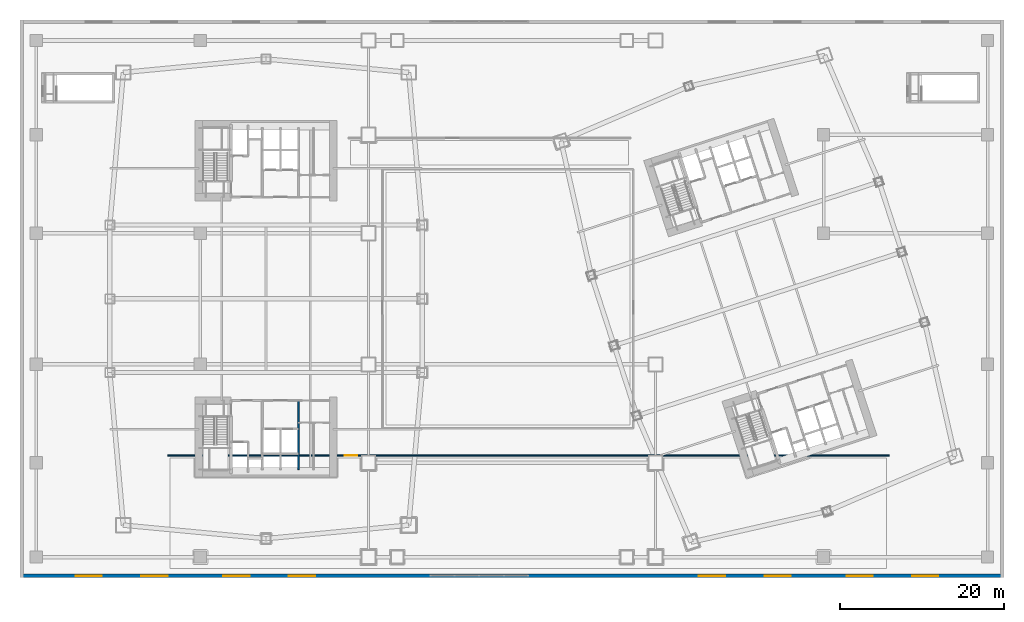
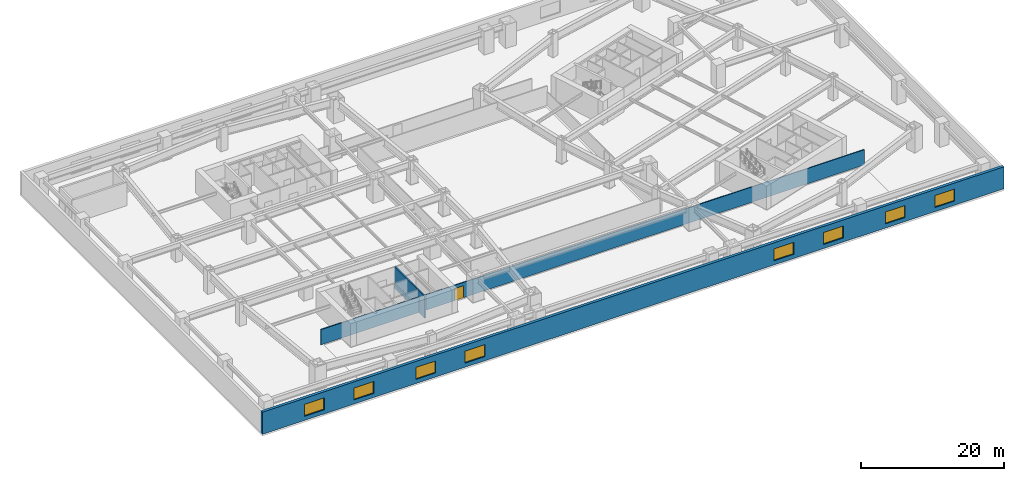
# One storey, part 14 of 25: 8 windows, 3 walls, 1 door, 9 openings.
"""IFC4 building model written with IfcOpenShell, lengths in metres."""

from ifc_helpers import new_model, si_unit, direction, frame, frame_2d, origin, place, context, subcontext, project, spatial, rectangle, extrude, material, layer, layer_set, type_object, element, fill, save


model = new_model("IFC4")

# Units and contexts
model_context = context("Model", 3, precision=1e-05, world=origin(), true_north=direction((0.0, 1.0)))
body_context = subcontext(model_context, "Body", "Model", "MODEL_VIEW")
ifc_project = project(units=[si_unit("LENGTHUNIT", "METRE"), si_unit("AREAUNIT", "SQUARE_METRE"), si_unit("VOLUMEUNIT", "CUBIC_METRE"), si_unit("PLANEANGLEUNIT", "RADIAN"), si_unit("MASSUNIT", "GRAM", prefix="KILO")], contexts=[model_context])

# Site, building, storey
site_placement = place(None, origin())
site = spatial("IfcSite", under=ifc_project, at=site_placement, CompositionType="ELEMENT")
building_placement = place(site_placement, origin())
building = spatial("IfcBuilding", under=site, at=building_placement, Name="Qiaolan Cultural Towers", CompositionType="ELEMENT")
storey_placement = place(building_placement, frame((0.0, 0.0, 22.0)))
storey = spatial("IfcBuildingStorey", under=building, at=storey_placement, Name="L04", CompositionType="ELEMENT", Elevation=22.0)

# Wall, openings, windows
ifc_material_1 = material(Name="Precast Concrete C50 Bush-Hammered Granite Pier", Category="masonry")
ifc_layer_1 = layer(ifc_material_1, 0.449951171875)
ifc_layer_set_1 = layer_set([ifc_layer_1], Name="Precast Concrete C50 Bush-Hammered Granite Pier")
wall_type_1 = type_object("IfcWallType", Name="WL-EXT-POD-450", PredefinedType="SOLIDWALL", material=ifc_layer_set_1)
wall_1_placement = place(storey_placement, frame((120.0, 0.22509765625, 0.0), z_axis=(0.0, 0.0, 1.0), x_axis=(-1.0, 0.0, 0.0)))
wall_1 = element("IfcWall", 1, at=wall_1_placement, inside=storey, type_object=wall_type_1, Name="L04 Podium Precast Facade Wall SOUTH", PredefinedType="SOLIDWALL", context=body_context, shape_type="SweptSolid", body=[
    extrude(rectangle(XDim=120.0, YDim=0.449951171875, at=frame_2d((60.0, 0.0))), origin(), (0.0, 0.0, 1.0), 3.780029296875),
])
opening_1_placement = place(wall_1_placement, frame((8.0, 0.0, 0.699951171875)))
opening_1 = element("IfcOpeningElement", 2, at=opening_1_placement, cuts=wall_1, Name="Opening W-04", PredefinedType="OPENING", context=body_context, shape_type="SweptSolid", body=[
    extrude(rectangle(XDim=3.199951171875, YDim=2.050048828125, at=frame_2d((1.60009765625, 1.02490234375))), frame((0.0, 0.23486328125, 0.0), z_axis=(0.0, -1.0, 0.0), x_axis=(1.0, 0.0, 0.0)), (0.0, 0.0, 1.0), 0.469970703125),
])
opening_2_placement = place(wall_1_placement, frame((16.0, 0.0, 0.699951171875)))
opening_2 = element("IfcOpeningElement", 3, at=opening_2_placement, cuts=wall_1, Name="Opening W-04", PredefinedType="OPENING", context=body_context, shape_type="SweptSolid", body=[
    extrude(rectangle(XDim=3.199951171875, YDim=2.050048828125, at=frame_2d((1.60009765625, 1.02490234375))), frame((0.0, 0.23486328125, 0.0), z_axis=(0.0, -1.0, 0.0), x_axis=(1.0, 0.0, 0.0)), (0.0, 0.0, 1.0), 0.469970703125),
])
opening_3_placement = place(wall_1_placement, frame((26.0, 0.0, 0.699951171875)))
opening_3 = element("IfcOpeningElement", 4, at=opening_3_placement, cuts=wall_1, Name="Opening W-04", PredefinedType="OPENING", context=body_context, shape_type="SweptSolid", body=[
    extrude(rectangle(XDim=3.199951171875, YDim=2.050048828125, at=frame_2d((1.60009765625, 1.02490234375))), frame((0.0, 0.23486328125, 0.0), z_axis=(0.0, -1.0, 0.0), x_axis=(1.0, 0.0, 0.0)), (0.0, 0.0, 1.0), 0.469970703125),
])
opening_4_placement = place(wall_1_placement, frame((34.0, 0.0, 0.699951171875)))
opening_4 = element("IfcOpeningElement", 5, at=opening_4_placement, cuts=wall_1, Name="Opening W-04", PredefinedType="OPENING", context=body_context, shape_type="SweptSolid", body=[
    extrude(rectangle(XDim=3.199951171875, YDim=2.050048828125, at=frame_2d((1.60009765625, 1.02490234375))), frame((0.0, 0.23486328125, 0.0), z_axis=(0.0, -1.0, 0.0), x_axis=(1.0, 0.0, 0.0)), (0.0, 0.0, 1.0), 0.469970703125),
])
opening_5_placement = place(wall_1_placement, frame((84.0, 0.0, 0.699951171875)))
opening_5 = element("IfcOpeningElement", 6, at=opening_5_placement, cuts=wall_1, Name="Opening W-04", PredefinedType="OPENING", context=body_context, shape_type="SweptSolid", body=[
    extrude(rectangle(XDim=3.199951171875, YDim=2.050048828125, at=frame_2d((1.60009765625, 1.02490234375))), frame((0.0, 0.23486328125, 0.0), z_axis=(0.0, -1.0, 0.0), x_axis=(1.0, 0.0, 0.0)), (0.0, 0.0, 1.0), 0.469970703125),
])
opening_6_placement = place(wall_1_placement, frame((92.0, 0.0, 0.699951171875)))
opening_6 = element("IfcOpeningElement", 7, at=opening_6_placement, cuts=wall_1, Name="Opening W-04", PredefinedType="OPENING", context=body_context, shape_type="SweptSolid", body=[
    extrude(rectangle(XDim=3.199951171875, YDim=2.050048828125, at=frame_2d((1.60009765625, 1.02490234375))), frame((0.0, 0.23486328125, 0.0), z_axis=(0.0, -1.0, 0.0), x_axis=(1.0, 0.0, 0.0)), (0.0, 0.0, 1.0), 0.469970703125),
])
opening_7_placement = place(wall_1_placement, frame((102.0, 0.0, 0.699951171875)))
opening_7 = element("IfcOpeningElement", 8, at=opening_7_placement, cuts=wall_1, Name="Opening W-04", PredefinedType="OPENING", context=body_context, shape_type="SweptSolid", body=[
    extrude(rectangle(XDim=3.199951171875, YDim=2.050048828125, at=frame_2d((1.60009765625, 1.02490234375))), frame((0.0, 0.23486328125, 0.0), z_axis=(0.0, -1.0, 0.0), x_axis=(1.0, 0.0, 0.0)), (0.0, 0.0, 1.0), 0.469970703125),
])
opening_8_placement = place(wall_1_placement, frame((110.0, 0.0, 0.699951171875)))
opening_8 = element("IfcOpeningElement", 9, at=opening_8_placement, cuts=wall_1, Name="Opening W-04", PredefinedType="OPENING", context=body_context, shape_type="SweptSolid", body=[
    extrude(rectangle(XDim=3.199951171875, YDim=2.050048828125, at=frame_2d((1.60009765625, 1.02490234375))), frame((0.0, 0.23486328125, 0.0), z_axis=(0.0, -1.0, 0.0), x_axis=(1.0, 0.0, 0.0)), (0.0, 0.0, 1.0), 0.469970703125),
])
ifc_material_2 = material(Name="Thermally Broken Aluminium Triple Low-E Glazing", Category="aluminium")
window_type = type_object("IfcWindowType", Name="WN-POD-3200", PartitioningType="SINGLE_PANEL", PredefinedType="WINDOW", material=ifc_material_2)
window_1_placement = place(opening_1_placement, origin())
window_1 = element("IfcWindow", 10, at=window_1_placement, inside=storey, type_object=window_type, Name="L04 Podium Chicago Window SOUTH-01", OverallHeight=2.050048828125, OverallWidth=3.199951171875, PartitioningType="TRIPLE_PANEL_VERTICAL", PredefinedType="WINDOW", context=body_context, shape_type="SweptSolid", body=[
    extrude(rectangle(XDim=3.199951171875, YDim=2.050048828125, at=frame_2d((1.60009765625, 1.02490234375))), frame((0.0, 0.030029296875, 0.0), z_axis=(0.0, -1.0, 0.0), x_axis=(1.0, 0.0, 0.0)), (0.0, 0.0, 1.0), 0.06005859375),
])
fill(opening_1, window_1)
window_2_placement = place(opening_2_placement, origin())
window_2 = element("IfcWindow", 11, at=window_2_placement, inside=storey, type_object=window_type, Name="L04 Podium Chicago Window SOUTH-02", OverallHeight=2.050048828125, OverallWidth=3.199951171875, PartitioningType="TRIPLE_PANEL_VERTICAL", PredefinedType="WINDOW", context=body_context, shape_type="SweptSolid", body=[
    extrude(rectangle(XDim=3.199951171875, YDim=2.050048828125, at=frame_2d((1.60009765625, 1.02490234375))), frame((0.0, 0.030029296875, 0.0), z_axis=(0.0, -1.0, 0.0), x_axis=(1.0, 0.0, 0.0)), (0.0, 0.0, 1.0), 0.06005859375),
])
fill(opening_2, window_2)
window_3_placement = place(opening_3_placement, origin())
window_3 = element("IfcWindow", 12, at=window_3_placement, inside=storey, type_object=window_type, Name="L04 Podium Chicago Window SOUTH-03", OverallHeight=2.050048828125, OverallWidth=3.199951171875, PartitioningType="TRIPLE_PANEL_VERTICAL", PredefinedType="WINDOW", context=body_context, shape_type="SweptSolid", body=[
    extrude(rectangle(XDim=3.199951171875, YDim=2.050048828125, at=frame_2d((1.60009765625, 1.02490234375))), frame((0.0, 0.030029296875, 0.0), z_axis=(0.0, -1.0, 0.0), x_axis=(1.0, 0.0, 0.0)), (0.0, 0.0, 1.0), 0.06005859375),
])
fill(opening_3, window_3)
window_4_placement = place(opening_4_placement, origin())
window_4 = element("IfcWindow", 13, at=window_4_placement, inside=storey, type_object=window_type, Name="L04 Podium Chicago Window SOUTH-04", OverallHeight=2.050048828125, OverallWidth=3.199951171875, PartitioningType="TRIPLE_PANEL_VERTICAL", PredefinedType="WINDOW", context=body_context, shape_type="SweptSolid", body=[
    extrude(rectangle(XDim=3.199951171875, YDim=2.050048828125, at=frame_2d((1.60009765625, 1.02490234375))), frame((0.0, 0.030029296875, 0.0), z_axis=(0.0, -1.0, 0.0), x_axis=(1.0, 0.0, 0.0)), (0.0, 0.0, 1.0), 0.06005859375),
])
fill(opening_4, window_4)
window_5_placement = place(opening_5_placement, origin())
window_5 = element("IfcWindow", 14, at=window_5_placement, inside=storey, type_object=window_type, Name="L04 Podium Chicago Window SOUTH-05", OverallHeight=2.050048828125, OverallWidth=3.199951171875, PartitioningType="TRIPLE_PANEL_VERTICAL", PredefinedType="WINDOW", context=body_context, shape_type="SweptSolid", body=[
    extrude(rectangle(XDim=3.199951171875, YDim=2.050048828125, at=frame_2d((1.60009765625, 1.02490234375))), frame((0.0, 0.030029296875, 0.0), z_axis=(0.0, -1.0, 0.0), x_axis=(1.0, 0.0, 0.0)), (0.0, 0.0, 1.0), 0.06005859375),
])
fill(opening_5, window_5)
window_6_placement = place(opening_6_placement, origin())
window_6 = element("IfcWindow", 15, at=window_6_placement, inside=storey, type_object=window_type, Name="L04 Podium Chicago Window SOUTH-06", OverallHeight=2.050048828125, OverallWidth=3.199951171875, PartitioningType="TRIPLE_PANEL_VERTICAL", PredefinedType="WINDOW", context=body_context, shape_type="SweptSolid", body=[
    extrude(rectangle(XDim=3.199951171875, YDim=2.050048828125, at=frame_2d((1.60009765625, 1.02490234375))), frame((0.0, 0.030029296875, 0.0), z_axis=(0.0, -1.0, 0.0), x_axis=(1.0, 0.0, 0.0)), (0.0, 0.0, 1.0), 0.06005859375),
])
fill(opening_6, window_6)
window_7_placement = place(opening_7_placement, origin())
window_7 = element("IfcWindow", 16, at=window_7_placement, inside=storey, type_object=window_type, Name="L04 Podium Chicago Window SOUTH-07", OverallHeight=2.050048828125, OverallWidth=3.199951171875, PartitioningType="TRIPLE_PANEL_VERTICAL", PredefinedType="WINDOW", context=body_context, shape_type="SweptSolid", body=[
    extrude(rectangle(XDim=3.199951171875, YDim=2.050048828125, at=frame_2d((1.60009765625, 1.02490234375))), frame((0.0, 0.030029296875, 0.0), z_axis=(0.0, -1.0, 0.0), x_axis=(1.0, 0.0, 0.0)), (0.0, 0.0, 1.0), 0.06005859375),
])
fill(opening_7, window_7)
window_8_placement = place(opening_8_placement, origin())
window_8 = element("IfcWindow", 17, at=window_8_placement, inside=storey, type_object=window_type, Name="L04 Podium Chicago Window SOUTH-08", OverallHeight=2.050048828125, OverallWidth=3.199951171875, PartitioningType="TRIPLE_PANEL_VERTICAL", PredefinedType="WINDOW", context=body_context, shape_type="SweptSolid", body=[
    extrude(rectangle(XDim=3.199951171875, YDim=2.050048828125, at=frame_2d((1.60009765625, 1.02490234375))), frame((0.0, 0.030029296875, 0.0), z_axis=(0.0, -1.0, 0.0), x_axis=(1.0, 0.0, 0.0)), (0.0, 0.0, 1.0), 0.06005859375),
])
fill(opening_8, window_8)

# Wall
ifc_material_3 = material(Name="Concrete C35 Fire Wall", Category="concrete")
ifc_layer_2 = layer(ifc_material_3, 0.199951171875)
ifc_layer_set_2 = layer_set([ifc_layer_2], Name="Concrete C35 Fire Wall")
wall_type_2 = type_object("IfcWallType", Name="WL-FIRE-200", PredefinedType="PARTITIONING", material=ifc_layer_set_2)
wall_2_placement = place(storey_placement, frame((33.949951171875, 21.60009765625, 0.0), z_axis=(0.0, 0.0, 1.0), x_axis=(0.0, -1.0, 0.0)))
element("IfcWall", 18, at=wall_2_placement, inside=storey, type_object=wall_type_2, Name="L04 T1-CS Lift Core East Wall", PredefinedType="PARTITIONING", context=body_context, shape_type="SweptSolid", body=[
    extrude(rectangle(XDim=8.43017578125, YDim=0.199951171875, at=frame_2d((4.215087890625, 0.0))), origin(), (0.0, 0.0, 1.0), 3.72509765625),
])

# Wall, opening, door
ifc_material_4 = material(Name="Autoclaved Aerated Concrete Block B06", Category="concrete")
ifc_layer_3 = layer(ifc_material_4, 0.14990234375)
ifc_layer_set_3 = layer_set([ifc_layer_3], Name="Autoclaved Aerated Concrete Block B06")
wall_type_3 = type_object("IfcWallType", Name="WL-PART-150", PredefinedType="PARTITIONING", material=ifc_layer_set_3)
wall_3_placement = place(storey_placement, frame((18.0, 14.89990234375, 0.0), z_axis=(0.0, 0.0, 1.0), x_axis=(1.0, 0.0, 0.0)))
wall_3 = element("IfcWall", 19, at=wall_3_placement, inside=storey, type_object=wall_type_3, Name="L04 Podium Partition L04-SGW", PredefinedType="PARTITIONING", context=body_context, shape_type="SweptSolid", body=[
    extrude(rectangle(XDim=88.0, YDim=0.14990234375, at=frame_2d((44.0, 0.0))), origin(), (0.0, 0.0, 1.0), 2.614990234375),
])
opening_9_placement = place(wall_3_placement, frame((21.60009765625, 0.0, 0.0)))
opening_9 = element("IfcOpeningElement", 20, at=opening_9_placement, cuts=wall_3, Name="Opening ID-01", PredefinedType="OPENING", context=body_context, shape_type="SweptSolid", body=[
    extrude(rectangle(XDim=1.5, YDim=2.050048828125, at=frame_2d((0.75, 1.02490234375))), frame((0.0, 0.0849609375, 0.0), z_axis=(0.0, -1.0, 0.0), x_axis=(1.0, 0.0, 0.0)), (0.0, 0.0, 1.0), 0.169921875),
])
ifc_material_5 = material(Name="Oak Veneer Solid-Core Double Leaf Door", Category="timber")
door_type = type_object("IfcDoorType", Name="DR-INT-1500", OperationType="NOTDEFINED", PredefinedType="DOOR", material=ifc_material_5)
door_placement = place(opening_9_placement, origin())
door = element("IfcDoor", 21, at=door_placement, inside=storey, type_object=door_type, Name="L04 South Gallery Entrance", OperationType="SINGLE_SWING_LEFT", OverallHeight=2.050048828125, OverallWidth=1.5, PredefinedType="DOOR", context=body_context, shape_type="SweptSolid", body=[
    extrude(rectangle(XDim=1.5, YDim=2.050048828125, at=frame_2d((0.75, 1.02490234375))), frame((0.0, 0.02490234375, 0.0), z_axis=(0.0, -1.0, 0.0), x_axis=(1.0, 0.0, 0.0)), (0.0, 0.0, 1.0), 0.050048828125),
])
fill(opening_9, door)

save(model, "model.ifc")
